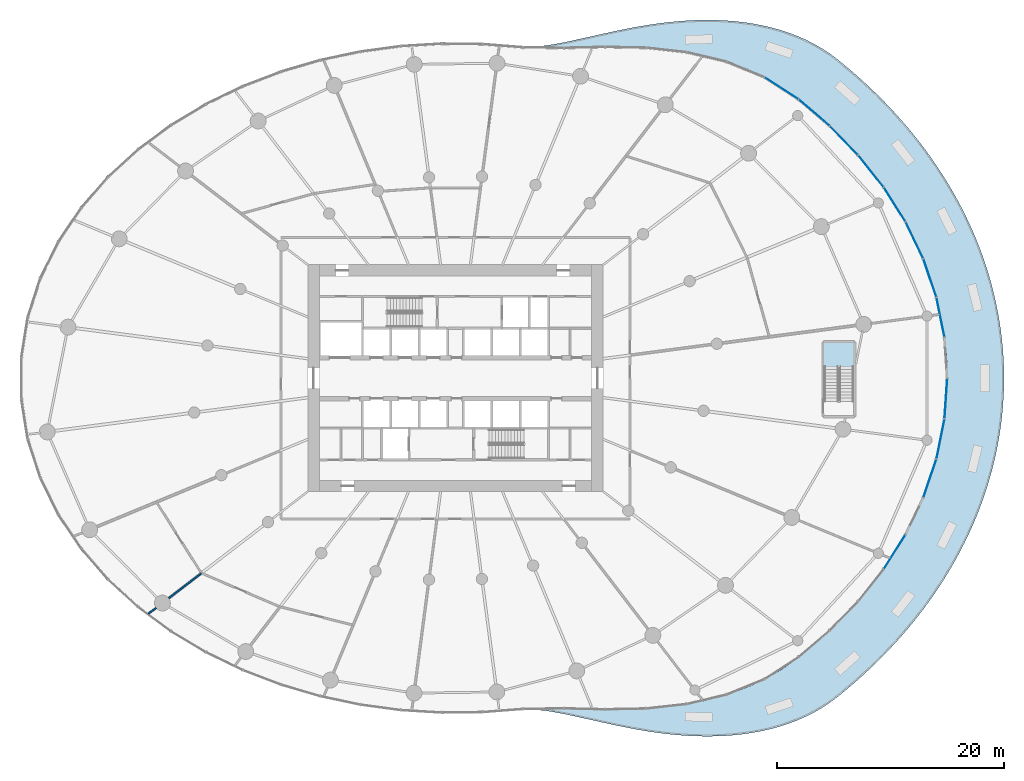
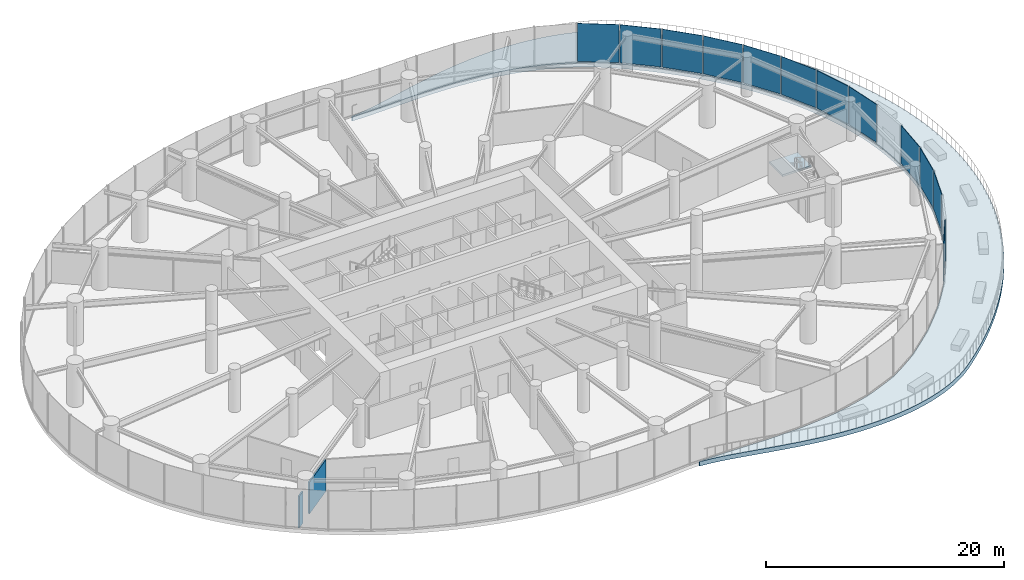
# One storey, part 10 of 19: 12 plates, 2 slabs, 2 walls, 5 elements without a shape of their own.
"""IFC4 building model written with IfcOpenShell, lengths in metres."""

from ifc_helpers import new_model, si_unit, direction, frame, frame_2d, origin, origin_2d, place, context, subcontext, project, spatial, line, indexed_curve, rectangle, outline, extrude, source, transform, mapped, material, layer, layer_set, type_object, element, aggregate, save


model = new_model("IFC4")

# Units and contexts
model_context = context("Model", 3, precision=1e-05, world=origin(), true_north=direction((0.0, 1.0)))
body_context = subcontext(model_context, "Body", "Model", "MODEL_VIEW")
ifc_project = project(units=[si_unit("LENGTHUNIT", "METRE"), si_unit("AREAUNIT", "SQUARE_METRE"), si_unit("VOLUMEUNIT", "CUBIC_METRE"), si_unit("PLANEANGLEUNIT", "RADIAN"), si_unit("MASSUNIT", "GRAM", prefix="KILO")], contexts=[model_context])

# Site, building, storey
site_placement = place(None, origin())
site = spatial("IfcSite", under=ifc_project, at=site_placement, CompositionType="ELEMENT")
building_placement = place(site_placement, origin())
building = spatial("IfcBuilding", under=site, at=building_placement, Name="Spindrift Exchange Tower", CompositionType="ELEMENT")
storey_placement = place(building_placement, frame((0.0, 0.0, 13.800048828125)))
storey = spatial("IfcBuildingStorey", under=building, at=storey_placement, Name="L03", CompositionType="ELEMENT", Elevation=13.800048828125)

# Slab
ifc_material_1 = material(Name="Concrete 40 MPa", Category="concrete")
ifc_layer_1 = layer(ifc_material_1, 0.449951171875)
ifc_layer_set_1 = layer_set([ifc_layer_1], Name="RC Terrace Slab 450 Concrete 40 MPa")
slab_type_1 = type_object("IfcSlabType", Name="RC Terrace Slab 450 Concrete 40 MPa", PredefinedType="FLOOR", material=ifc_layer_set_1)
slab_1_placement = place(storey_placement, frame((0.0, 0.0, -0.449951171875)))
element("IfcSlab", 1, at=slab_1_placement, inside=storey, type_object=slab_type_1, Name="Podium terrace L02", PredefinedType="FLOOR", context=body_context, shape_type="SweptSolid", body=[
    extrude(outline(indexed_curve([(58.943603515625, 77.1171875), (58.912353515625, 77.12939453125), (58.895263671875, 77.16357421875), (58.9072265625, 77.19970703125), (58.9365234375, 77.21630859375), (59.291748046875, 77.24365234375), (59.8525390625, 77.3076171875), (60.427490234375, 77.3916015625), (61.01708984375, 77.49267578125), (61.620361328125, 77.608642578125), (62.873779296875, 77.8759765625), (64.87353515625, 78.327880859375), (66.285400390625, 78.63525390625), (67.757080078125, 78.92578125), (68.51416015625, 79.05908203125), (69.28466796875, 79.181640625), (70.065185546875, 79.290771484375), (70.858642578125, 79.38525390625), (71.660400390625, 79.462158203125), (72.46875, 79.520263671875), (73.286376953125, 79.557373046875), (74.107421875, 79.57177734375), (74.930419921875, 79.56201171875), (75.757568359375, 79.526123046875), (76.580810546875, 79.463134765625), (77.40283203125, 79.37109375), (78.221923828125, 79.248779296875), (79.02978515625, 79.095703125), (79.830078125, 78.909912109375), (80.62060546875, 78.690185546875), (81.39208984375, 78.43798828125), (82.1484375, 78.14990234375), (82.885009765625, 77.826904296875), (83.5986328125, 77.468017578125), (84.28662109375, 77.07275390625), (84.9462890625, 76.6416015625), (85.576416015625, 76.172607421875), (86.18408203125, 75.68115234375), (86.786376953125, 75.177490234375), (87.3818359375, 74.66162109375), (87.969970703125, 74.13427734375), (88.55126953125, 73.593994140625), (89.12548828125, 73.041015625), (89.690185546875, 72.476806640625), (90.247314453125, 71.89892578125), (90.794677734375, 71.3095703125), (91.33251953125, 70.7080078125), (91.860107421875, 70.09423828125), (92.376953125, 69.46826171875), (92.882568359375, 68.830078125), (93.37646484375, 68.18017578125), (93.858154296875, 67.518310546875), (94.326904296875, 66.8447265625), (94.782470703125, 66.159423828125), (95.223876953125, 65.462890625), (95.650146484375, 64.75634765625), (96.0625, 64.036865234375), (96.458740234375, 63.307861328125), (96.838623046875, 62.568359375), (97.201171875, 61.81982421875), (97.546875, 61.060791015625), (97.874755859375, 60.292724609375), (98.184326171875, 59.515625), (98.47509765625, 58.72900390625), (98.746337890625, 57.935546875), (98.997802734375, 57.134765625), (99.228515625, 56.328369140625), (99.438720703125, 55.51416015625), (99.628173828125, 54.6943359375), (99.796142578125, 53.867919921875), (99.9423828125, 53.0380859375), (100.06640625, 52.20458984375), (100.168212890625, 51.367431640625), (100.24755859375, 50.529296875), (100.304443359375, 49.68603515625), (100.338623046875, 48.843017578125), (100.35009765625, 48.000732421875), (100.338623046875, 47.156982421875), (100.304443359375, 46.31396484375), (100.24755859375, 45.470703125), (100.168212890625, 44.632568359375), (100.06640625, 43.79541015625), (99.9423828125, 42.9619140625), (99.796142578125, 42.132080078125), (99.628173828125, 41.3056640625), (99.438720703125, 40.48583984375), (99.228515625, 39.671630859375), (98.997802734375, 38.865234375), (98.746337890625, 38.064453125), (98.47509765625, 37.27099609375), (98.184326171875, 36.484375), (97.875244140625, 35.70849609375), (97.54736328125, 34.940185546875), (97.20166015625, 34.18115234375), (96.838623046875, 33.431640625), (96.458740234375, 32.692138671875), (96.0625, 31.963134765625), (95.65087890625, 31.24462890625), (95.223876953125, 30.537109375), (94.782470703125, 29.840576171875), (94.326904296875, 29.1552734375), (93.858154296875, 28.481689453125), (93.37646484375, 27.81982421875), (92.882568359375, 27.169921875), (92.376953125, 26.53173828125), (91.860107421875, 25.90576171875), (91.33251953125, 25.2919921875), (90.794677734375, 24.6904296875), (90.247314453125, 24.10107421875), (89.690673828125, 23.52392578125), (89.124755859375, 22.95849609375), (88.552001953125, 22.406494140625), (87.969970703125, 21.86572265625), (87.38134765625, 21.337646484375), (86.786376953125, 20.822509765625), (86.18359375, 20.318115234375), (85.576416015625, 19.827392578125), (84.94873046875, 19.360107421875), (84.28662109375, 18.92724609375), (83.5986328125, 18.531982421875), (82.885009765625, 18.173095703125), (82.1484375, 17.85009765625), (81.39208984375, 17.56201171875), (80.618408203125, 17.30908203125), (79.830078125, 17.090087890625), (79.02978515625, 16.904296875), (78.219970703125, 16.7509765625), (77.40283203125, 16.62890625), (76.580810546875, 16.536865234375), (75.757568359375, 16.473876953125), (74.930419921875, 16.43798828125), (74.107421875, 16.42822265625), (73.284912109375, 16.442626953125), (72.46875, 16.479736328125), (71.660400390625, 16.537841796875), (70.858642578125, 16.61474609375), (70.065185546875, 16.709228515625), (69.28466796875, 16.818359375), (68.514892578125, 16.940673828125), (67.757080078125, 17.07421875), (66.285400390625, 17.36474609375), (64.87353515625, 17.672119140625), (62.8740234375, 18.1240234375), (61.620361328125, 18.391357421875), (61.01708984375, 18.50732421875), (60.427490234375, 18.6083984375), (59.8525390625, 18.6923828125), (59.291748046875, 18.75634765625), (58.9365234375, 18.78369140625), (58.9072265625, 18.80029296875), (58.895263671875, 18.83642578125), (58.908935546875, 18.8671875), (58.943603515625, 18.8828125), (59.797119140625, 18.89990234375), (60.344482421875, 18.900390625), (61.4599609375, 18.8857421875), (64.388427734375, 18.814697265625), (65.61669921875, 18.798583984375), (66.242919921875, 18.798095703125), (67.51611328125, 18.818115234375), (68.162841796875, 18.84130859375), (68.81591796875, 18.874267578125), (69.47412109375, 18.91845703125), (70.13720703125, 18.974853515625), (70.803466796875, 19.044677734375), (71.4736328125, 19.128662109375), (72.146728515625, 19.22802734375), (72.820556640625, 19.343505859375), (73.494873046875, 19.475830078125), (74.16796875, 19.6259765625), (74.83984375, 19.794677734375), (75.509521484375, 19.98291015625), (76.17431640625, 20.19091796875), (76.833984375, 20.419677734375), (77.48681640625, 20.66943359375), (78.13134765625, 20.94091796875), (78.766357421875, 21.234130859375), (79.390380859375, 21.5498046875), (80.002197265625, 21.88818359375), (80.599609375, 22.24951171875), (81.181396484375, 22.6337890625), (81.74560546875, 23.041015625), (82.29833984375, 23.465087890625), (82.845703125, 23.900390625), (83.388671875, 24.34716796875), (83.925048828125, 24.804931640625), (84.4560546875, 25.2744140625), (84.97998046875, 25.7548828125), (85.496826171875, 26.24658203125), (86.0068359375, 26.75048828125), (86.5087890625, 27.265380859375), (87.001708984375, 27.79150390625), (87.48681640625, 28.32958984375), (87.9619140625, 28.87890625), (88.427001953125, 29.439208984375), (88.882568359375, 30.011474609375), (89.326416015625, 30.594482421875), (89.7587890625, 31.1884765625), (90.179443359375, 31.79345703125), (90.587890625, 32.409912109375), (90.982421875, 33.035888671875), (91.363525390625, 33.67236328125), (91.73095703125, 34.31982421875), (92.0830078125, 34.9765625), (92.419921875, 35.642578125), (92.74072265625, 36.3173828125), (93.04541015625, 37.002197265625), (93.3330078125, 37.69482421875), (93.60302734375, 38.394775390625), (93.85546875, 39.10302734375), (94.08935546875, 39.818359375), (94.304443359375, 40.540283203125), (94.50048828125, 41.268310546875), (94.677001953125, 42.00244140625), (94.83349609375, 42.740966796875), (94.9697265625, 43.48388671875), (95.085205078125, 44.230224609375), (95.180419921875, 44.980224609375), (95.25439453125, 45.7333984375), (95.3076171875, 46.488037109375), (95.33935546875, 47.243896484375), (95.35009765625, 47.99951171875), (95.33935546875, 48.756103515625), (95.3076171875, 49.511962890625), (95.25439453125, 50.267333984375), (95.180419921875, 51.019775390625), (95.085205078125, 51.769775390625), (94.969482421875, 52.5166015625), (94.833251953125, 53.259521484375), (94.6767578125, 53.998046875), (94.50048828125, 54.731689453125), (94.3046875, 55.458984375), (94.089599609375, 56.18115234375), (93.85546875, 56.89697265625), (93.603271484375, 57.6044921875), (93.3330078125, 58.30517578125), (93.04541015625, 58.998291015625), (92.74072265625, 59.6826171875), (92.419921875, 60.35791015625), (92.0830078125, 61.0234375), (91.73095703125, 61.68017578125), (91.364013671875, 62.326904296875), (90.982666015625, 62.9638671875), (90.58740234375, 63.590576171875), (90.1796875, 64.2060546875), (89.7587890625, 64.8115234375), (89.326416015625, 65.405517578125), (88.882568359375, 65.988525390625), (88.427490234375, 66.560302734375), (87.961669921875, 67.121337890625), (87.48681640625, 67.67041015625), (87.002197265625, 68.208251953125), (86.5087890625, 68.734619140625), (86.0068359375, 69.24951171875), (85.497314453125, 69.7529296875), (84.97998046875, 70.2451171875), (84.4560546875, 70.7255859375), (83.925048828125, 71.195068359375), (83.38818359375, 71.653076171875), (82.84619140625, 72.099365234375), (82.29833984375, 72.534912109375), (81.74560546875, 72.958984375), (81.181396484375, 73.3662109375), (80.5986328125, 73.751220703125), (80.001220703125, 74.1123046875), (79.390380859375, 74.4501953125), (78.765625, 74.76611328125), (78.13134765625, 75.05908203125), (77.48681640625, 75.33056640625), (76.8330078125, 75.58056640625), (76.17431640625, 75.80908203125), (75.509521484375, 76.01708984375), (74.83984375, 76.205322265625), (74.16845703125, 76.373779296875), (73.494873046875, 76.524169921875), (72.81982421875, 76.65673828125), (72.146728515625, 76.77197265625), (71.4736328125, 76.871337890625), (70.803466796875, 76.955322265625), (70.13720703125, 77.025146484375), (69.473876953125, 77.08154296875), (68.81591796875, 77.125732421875), (68.1630859375, 77.15869140625), (66.876220703125, 77.19580078125), (66.24267578125, 77.201904296875), (64.998779296875, 77.195556640625), (60.89794921875, 77.1044921875), (59.797607421875, 77.10009765625)], segments=[line(1, 2, 3, 4, 5, 6, 7, 8, 9, 10, 11, 12, 13, 14, 15, 16, 17, 18, 19, 20, 21, 22, 23, 24, 25, 26, 27, 28, 29, 30, 31, 32, 33, 34, 35, 36, 37, 38, 39, 40, 41, 42, 43, 44, 45, 46, 47, 48, 49, 50, 51, 52, 53, 54, 55, 56, 57, 58, 59, 60, 61, 62, 63, 64, 65, 66, 67, 68, 69, 70, 71, 72, 73, 74, 75, 76, 77, 78, 79, 80, 81, 82, 83, 84, 85, 86, 87, 88, 89, 90, 91, 92, 93, 94, 95, 96, 97, 98, 99, 100, 101, 102, 103, 104, 105, 106, 107, 108, 109, 110, 111, 112, 113, 114, 115, 116, 117, 118, 119, 120, 121, 122, 123, 124, 125, 126, 127, 128, 129, 130, 131, 132, 133, 134, 135, 136, 137, 138, 139, 140, 141, 142, 143, 144, 145, 146, 147, 148, 149, 150, 151, 152, 153, 154, 155, 156, 157, 158, 159, 160, 161, 162, 163, 164, 165, 166, 167, 168, 169, 170, 171, 172, 173, 174, 175, 176, 177, 178, 179, 180, 181, 182, 183, 184, 185, 186, 187, 188, 189, 190, 191, 192, 193, 194, 195, 196, 197, 198, 199, 200, 201, 202, 203, 204, 205, 206, 207, 208, 209, 210, 211, 212, 213, 214, 215, 216, 217, 218, 219, 220, 221, 222, 223, 224, 225, 226, 227, 228, 229, 230, 231, 232, 233, 234, 235, 236, 237, 238, 239, 240, 241, 242, 243, 244, 245, 246, 247, 248, 249, 250, 251, 252, 253, 254, 255, 256, 257, 258, 259, 260, 261, 262, 263, 264, 265, 266, 267, 268, 269, 270, 271, 272, 273, 274, 275, 276, 277, 278, 279, 280, 281, 282, 283, 284, 285, 286, 287, 288, 1)], self_intersect=False)), origin(), (0.0, 0.0, 1.0), 0.449951171875),
])

# Stair, slab
ifc_material_2 = material(Name="Concrete 50 MPa", Category="concrete")
stair_type = type_object("IfcStairType", Name="ST-1250-R183", PredefinedType="HALF_TURN_STAIR", material=ifc_material_2)
stair_placement = place(storey_placement, origin())
stair = element("IfcStair", 2, at=stair_placement, inside=storey, type_object=stair_type, Name="L03 Exit stair ST5", PredefinedType="HALF_TURN_STAIR")
ifc_layer_2 = layer(ifc_material_2, 0.199951171875)
ifc_layer_set_2 = layer_set([ifc_layer_2], Name="SL-LANDING")
slab_type_2 = type_object("IfcSlabType", Name="SL-LANDING", PredefinedType="LANDING", material=ifc_layer_set_2)
slab_2_placement = place(storey_placement, frame((0.0, 0.0, 2.0)))
slab_2 = element("IfcSlab", 3, at=slab_2_placement, type_object=slab_type_2, Name="ST5 landing 1", PredefinedType="LANDING", context=body_context, shape_type="SweptSolid", body=[
    extrude(outline(indexed_curve([(84.39990234375, 48.949951171875), (84.39990234375, 51.199951171875), (87.199951171875, 51.199951171875), (87.199951171875, 48.949951171875)], segments=[line(1, 2, 3, 4, 1)], self_intersect=False)), origin(), (0.0, 0.0, 1.0), 0.199951171875),
])
aggregate(stair, [slab_2])

# Curtain wall, plates
ifc_material_3 = material(Name="Fritted laminated glass with bronze frame", Category="glass")
ifc_layer_3 = layer(ifc_material_3, 0.219970703125)
ifc_layer_set_3 = layer_set([ifc_layer_3], Name="PODIUM BRONZE GLAZED WALL")
curtain_wall_type = type_object("IfcCurtainWallType", Name="PODIUM BRONZE GLAZED WALL", PredefinedType="NOTDEFINED", material=ifc_layer_set_3)
curtain_wall_1_placement = place(storey_placement, origin())
curtain_wall_1 = element("IfcCurtainWall", 4, at=curtain_wall_1_placement, inside=storey, type_object=curtain_wall_type, Name="L03 Podium Bronze Glazed Wall run 1", PredefinedType="NOTDEFINED")
ifc_material_4 = material(Name="Bronze fritted laminated glass, dense frit", Category="glass")
ifc_layer_4 = layer(ifc_material_4, 0.0400390625)
ifc_layer_set_4 = layer_set([ifc_layer_4], Name="PODIUM BRONZE GLAZED WALL PANEL DENSE FRIT 420")
plate_type_1 = type_object("IfcPlateType", Name="PODIUM BRONZE GLAZED WALL PANEL DENSE FRIT 420", PredefinedType="CURTAIN_PANEL", material=ifc_layer_set_4)
shared_shape_1 = source(origin(), body_context, "Body", "SweptSolid", [
    extrude(rectangle(XDim=3.513916015625, YDim=0.0400390625, at=origin_2d()), origin(), (0.0, 0.0, 1.0), 3.889892578125),
])
plate_1_placement = place(storey_placement, frame((94.75048828125, 53.362060546875, 0.16015625), z_axis=(0.0, 0.0, 1.0), x_axis=(-0.198009772163, 0.980200045974, 0.0)))
plate_1 = element("IfcPlate", 5, at=plate_1_placement, type_object=plate_type_1, Name="L03 panel CW-P.2", PredefinedType="CURTAIN_PANEL", context=body_context, shape_type="MappedRepresentation", body=[
    mapped(shared_shape_1, transform((0.0, 0.0, 0.0), scale=1.0)),
])
plate_2_placement = place(storey_placement, frame((93.814453125, 56.834716796875, 0.16015625), z_axis=(0.0, 0.0, 1.0), x_axis=(-0.321451034213, 0.946926202301, 0.0)))
plate_2 = element("IfcPlate", 6, at=plate_2_placement, type_object=plate_type_1, Name="L03 panel CW-P.3", PredefinedType="CURTAIN_PANEL", context=body_context, shape_type="MappedRepresentation", body=[
    mapped(shared_shape_1, transform((0.0, 0.0, 0.0), scale=1.0)),
])

# Curtain wall, plate
curtain_wall_2_placement = place(storey_placement, origin())
curtain_wall_2 = element("IfcCurtainWall", 7, at=curtain_wall_2_placement, inside=storey, type_object=curtain_wall_type, Name="L03 Podium Bronze Glazed Wall run 11", PredefinedType="NOTDEFINED")
plate_3_placement = place(storey_placement, frame((93.814453125, 39.165283203125, 0.16015625), z_axis=(0.0, 0.0, 1.0), x_axis=(0.321451034213, 0.946926202301, 0.0)))
plate_3 = element("IfcPlate", 8, at=plate_3_placement, type_object=plate_type_1, Name="L03 panel CW-P.61", PredefinedType="CURTAIN_PANEL", context=body_context, shape_type="MappedRepresentation", body=[
    mapped(shared_shape_1, transform((0.0, 0.0, 0.0), scale=1.0)),
])

# Plate
shared_shape_2 = source(origin(), body_context, "Body", "SweptSolid", [
    extrude(rectangle(XDim=3.514404296875, YDim=0.0400390625, at=origin_2d()), origin(), (0.0, 0.0, 1.0), 3.889892578125),
])
plate_4_placement = place(storey_placement, frame((92.45263671875, 60.164306640625, 0.16015625), z_axis=(0.0, 0.0, 1.0), x_axis=(-0.434259750424, 0.900787693722, 0.0)))
plate_4 = element("IfcPlate", 9, at=plate_4_placement, type_object=plate_type_1, Name="L03 panel CW-P.4", PredefinedType="CURTAIN_PANEL", context=body_context, shape_type="MappedRepresentation", body=[
    mapped(shared_shape_2, transform((0.0, 0.0, 0.0), scale=1.0)),
])

shared_shape_3 = source(origin(), body_context, "Body", "SweptSolid", [
    extrude(rectangle(XDim=3.5146484375, YDim=0.0400390625, at=origin_2d()), origin(), (0.0, 0.0, 1.0), 3.889892578125),
])
plate_5_placement = place(storey_placement, frame((90.706298828125, 63.310791015625, 0.16015625), z_axis=(0.0, 0.0, 1.0), x_axis=(-0.534663593052, 0.845064992924, 0.0)))
plate_5 = element("IfcPlate", 10, at=plate_5_placement, type_object=plate_type_1, Name="L03 panel CW-P.5", PredefinedType="CURTAIN_PANEL", context=body_context, shape_type="MappedRepresentation", body=[
    mapped(shared_shape_3, transform((0.0, 0.0, 0.0), scale=1.0)),
])

shared_shape_4 = source(origin(), body_context, "Body", "SweptSolid", [
    extrude(rectangle(XDim=3.51513671875, YDim=0.0400390625, at=origin_2d()), origin(), (0.0, 0.0, 1.0), 3.889892578125),
])
plate_6_placement = place(storey_placement, frame((88.62109375, 66.244873046875, 0.16015625), z_axis=(0.0, 0.0, 1.0), x_axis=(-0.622290602078, 0.782786309643, 0.0)))
plate_6 = element("IfcPlate", 11, at=plate_6_placement, type_object=plate_type_1, Name="L03 panel CW-P.6", PredefinedType="CURTAIN_PANEL", context=body_context, shape_type="MappedRepresentation", body=[
    mapped(shared_shape_4, transform((0.0, 0.0, 0.0), scale=1.0)),
])

aggregate(curtain_wall_1, [plate_1, plate_2, plate_4, plate_5, plate_6])

# Curtain wall, plates
curtain_wall_3_placement = place(storey_placement, origin())
curtain_wall_3 = element("IfcCurtainWall", 12, at=curtain_wall_3_placement, inside=storey, type_object=curtain_wall_type, Name="L03 Podium Bronze Glazed Wall run 2", PredefinedType="NOTDEFINED")
ifc_layer_5 = layer(ifc_material_4, 0.0400390625)
ifc_layer_set_5 = layer_set([ifc_layer_5], Name="PODIUM BRONZE GLAZED WALL PANEL DENSE FRIT 180")
plate_type_2 = type_object("IfcPlateType", Name="PODIUM BRONZE GLAZED WALL PANEL DENSE FRIT 180", PredefinedType="CURTAIN_PANEL", material=ifc_layer_set_5)
shared_shape_5 = source(origin(), body_context, "Body", "SweptSolid", [
    extrude(rectangle(XDim=3.51513671875, YDim=0.0400390625, at=origin_2d()), origin(), (0.0, 0.0, 1.0), 3.889892578125),
])
plate_7_placement = place(storey_placement, frame((86.242431640625, 68.947998046875, 0.16015625), z_axis=(0.0, 0.0, 1.0), x_axis=(-0.697303977972, 0.716775531324, 0.0)))
plate_7 = element("IfcPlate", 13, at=plate_7_placement, type_object=plate_type_2, Name="L03 panel CW-P.7", PredefinedType="CURTAIN_PANEL", context=body_context, shape_type="MappedRepresentation", body=[
    mapped(shared_shape_5, transform((0.0, 0.0, 0.0), scale=1.0)),
])
shared_shape_6 = source(origin(), body_context, "Body", "SweptSolid", [
    extrude(rectangle(XDim=3.515380859375, YDim=0.0400390625, at=origin_2d()), origin(), (0.0, 0.0, 1.0), 3.889892578125),
])
plate_8_placement = place(storey_placement, frame((83.61328125, 71.4091796875, 0.16015625), z_axis=(0.0, 0.0, 1.0), x_axis=(-0.761090177365, 0.648646083715, 0.0)))
plate_8 = element("IfcPlate", 14, at=plate_8_placement, type_object=plate_type_1, Name="L03 panel CW-P.8", PredefinedType="CURTAIN_PANEL", context=body_context, shape_type="MappedRepresentation", body=[
    mapped(shared_shape_6, transform((0.0, 0.0, 0.0), scale=1.0)),
])
shared_shape_7 = source(origin(), body_context, "Body", "SweptSolid", [
    extrude(rectangle(XDim=3.510498046875, YDim=0.0400390625, at=origin_2d()), origin(), (0.0, 0.0, 1.0), 3.889892578125),
])
plate_9_placement = place(storey_placement, frame((80.73046875, 73.5576171875, 0.16015625), z_axis=(0.0, 0.0, 1.0), x_axis=(-0.83921767493, 0.543795636324, 0.0)))
plate_9 = element("IfcPlate", 15, at=plate_9_placement, type_object=plate_type_1, Name="L03 panel CW-P.9", PredefinedType="CURTAIN_PANEL", context=body_context, shape_type="MappedRepresentation", body=[
    mapped(shared_shape_7, transform((0.0, 0.0, 0.0), scale=1.0)),
])
aggregate(curtain_wall_3, [plate_7, plate_8, plate_9])

# Plate
ifc_layer_6 = layer(ifc_material_4, 0.0400390625)
ifc_layer_set_6 = layer_set([ifc_layer_6], Name="PODIUM BRONZE GLAZED WALL PANEL DENSE FRIT 300")
plate_type_3 = type_object("IfcPlateType", Name="PODIUM BRONZE GLAZED WALL PANEL DENSE FRIT 300", PredefinedType="CURTAIN_PANEL", material=ifc_layer_set_6)
shared_shape_8 = source(origin(), body_context, "Body", "SweptSolid", [
    extrude(rectangle(XDim=3.513916015625, YDim=0.0400390625, at=origin_2d()), origin(), (0.0, 0.0, 1.0), 3.889892578125),
])
plate_10_placement = place(storey_placement, frame((95.228515625, 46.2021484375, 0.16015625), z_axis=(0.0, 0.0, 1.0), x_axis=(0.067344879651, 0.99772975659, 0.0)))
plate_10 = element("IfcPlate", 16, at=plate_10_placement, type_object=plate_type_3, Name="L03 panel CW-P.63", PredefinedType="CURTAIN_PANEL", context=body_context, shape_type="MappedRepresentation", body=[
    mapped(shared_shape_8, transform((0.0, 0.0, 0.0), scale=1.0)),
])

# Curtain wall, plate
curtain_wall_4_placement = place(storey_placement, origin())
curtain_wall_4 = element("IfcCurtainWall", 17, at=curtain_wall_4_placement, inside=storey, type_object=curtain_wall_type, Name="L03 Podium Bronze Glazed Wall run 10", PredefinedType="NOTDEFINED")
shared_shape_9 = source(origin(), body_context, "Body", "SweptSolid", [
    extrude(rectangle(XDim=3.5146484375, YDim=0.0400390625, at=origin_2d()), origin(), (0.0, 0.0, 1.0), 3.889892578125),
])
plate_11_placement = place(storey_placement, frame((90.706298828125, 32.689208984375, 0.16015625), z_axis=(0.0, 0.0, 1.0), x_axis=(0.534663593052, 0.845064992924, 0.0)))
plate_11 = element("IfcPlate", 18, at=plate_11_placement, type_object=plate_type_3, Name="L03 panel CW-P.59", PredefinedType="CURTAIN_PANEL", context=body_context, shape_type="MappedRepresentation", body=[
    mapped(shared_shape_9, transform((0.0, 0.0, 0.0), scale=1.0)),
])
aggregate(curtain_wall_4, [plate_11])

# Plate
shared_shape_10 = source(origin(), body_context, "Body", "SweptSolid", [
    extrude(rectangle(XDim=3.513916015625, YDim=0.0400390625, at=origin_2d()), origin(), (0.0, 0.0, 1.0), 3.889892578125),
])
plate_12_placement = place(storey_placement, frame((94.75048828125, 42.637939453125, 0.16015625), z_axis=(0.0, 0.0, 1.0), x_axis=(0.198009772163, 0.980200045974, 0.0)))
plate_12 = element("IfcPlate", 19, at=plate_12_placement, type_object=plate_type_2, Name="L03 panel CW-P.62", PredefinedType="CURTAIN_PANEL", context=body_context, shape_type="MappedRepresentation", body=[
    mapped(shared_shape_10, transform((0.0, 0.0, 0.0), scale=1.0)),
])

aggregate(curtain_wall_2, [plate_3, plate_12, plate_10])

# Walls
ifc_material_5 = material(Name="Fire-rated plasterboard partition", Category="gypsum")
ifc_layer_7 = layer(ifc_material_5, 0.139892578125)
ifc_layer_set_7 = layer_set([ifc_layer_7], Name="W-PART-140")
wall_type = type_object("IfcWallType", Name="W-PART-140", PredefinedType="PARTITIONING", material=ifc_layer_set_7)
wall_1_placement = place(storey_placement, frame((29.574951171875, 30.792724609375, 0.0), z_axis=(0.0, 0.0, 1.0), x_axis=(-0.793358147318, -0.608755164319, 0.0)))
element("IfcWall", 20, at=wall_1_placement, inside=storey, type_object=wall_type, Name="L03 Partition wall 105", PredefinedType="PARTITIONING", context=body_context, shape_type="SweptSolid", body=[
    extrude(rectangle(XDim=3.594482421875, YDim=0.139892578125, at=frame_2d((1.79736328125, 0.0))), origin(), (0.0, 0.0, 1.0), 3.25),
])
wall_2_placement = place(storey_placement, frame((25.605712890625, 27.746826171875, 0.0), z_axis=(0.0, 0.0, 1.0), x_axis=(-0.793456422987, -0.608627065468, 0.0)))
element("IfcWall", 21, at=wall_2_placement, inside=storey, type_object=wall_type, Name="L03 Partition wall 120", PredefinedType="PARTITIONING", context=body_context, shape_type="SweptSolid", body=[
    extrude(rectangle(XDim=0.8388671875, YDim=0.139892578125, at=frame_2d((0.41943359375, 0.0))), origin(), (0.0, 0.0, 1.0), 3.25),
])

save(model, "model.ifc")
